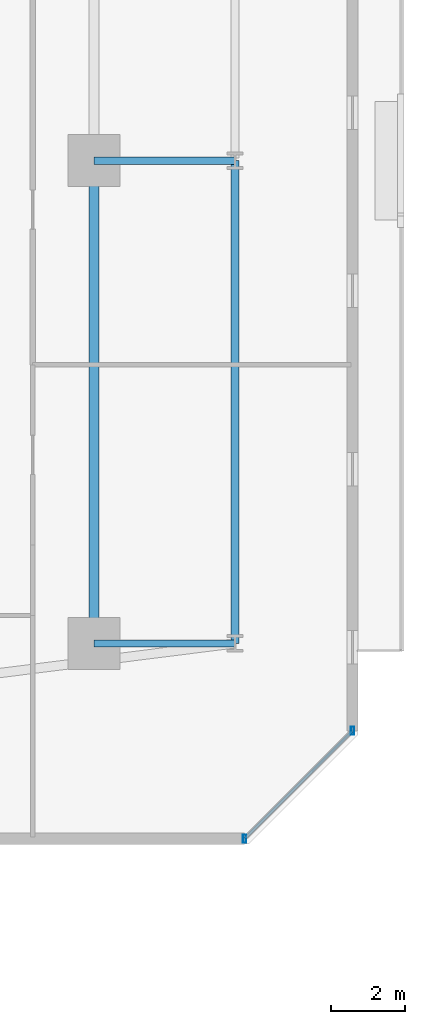
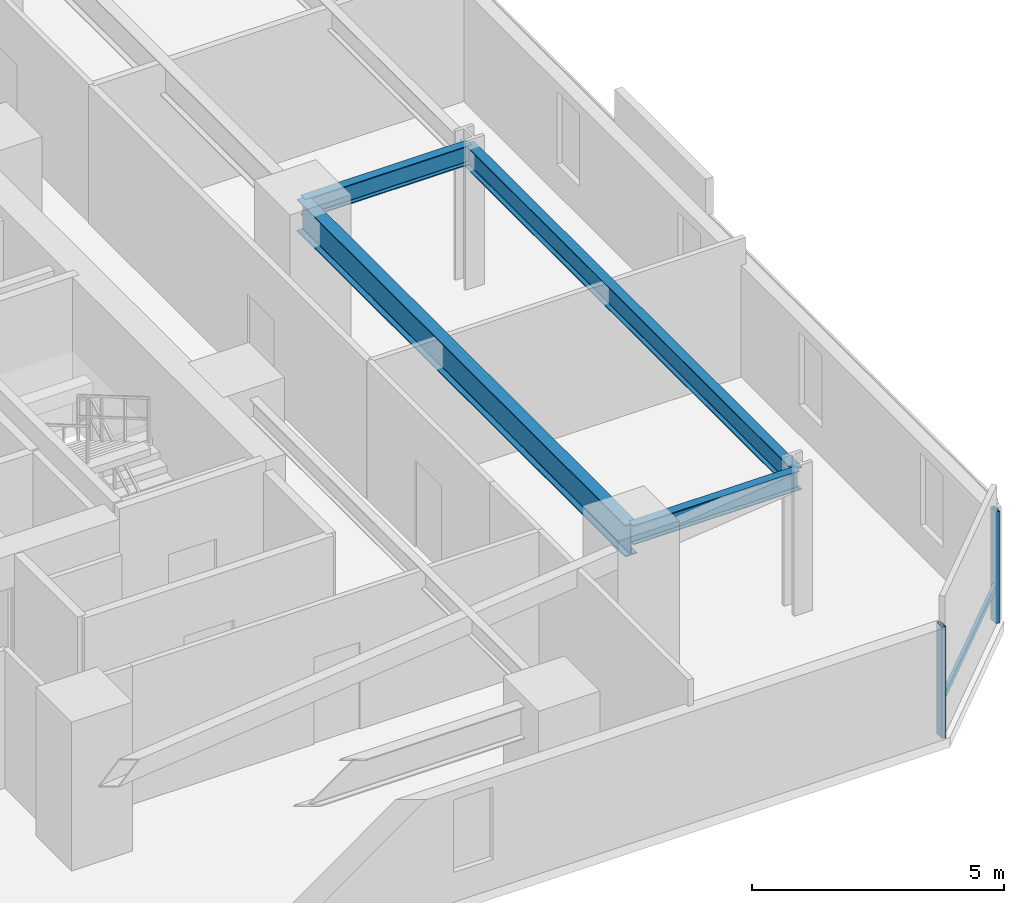
# One storey, part 15 of 35: 4 beams, 3 members, 1 element without a shape of its own.
"""IFC4 building model written with IfcOpenShell, lengths in metres."""

from ifc_helpers import new_model, si_unit, direction, frame, origin, origin_2d, place, context, subcontext, project, spatial, hollow_rectangle, i_section, extrude, material, material_profile, profile_set, type_object, element, aggregate, save


model = new_model("IFC4")

# Units and contexts
model_context = context("Model", 3, precision=1e-05, world=origin(), true_north=direction((0.0, 1.0)))
body_context = subcontext(model_context, "Body", "Model", "MODEL_VIEW")
ifc_project = project(units=[si_unit("LENGTHUNIT", "METRE"), si_unit("AREAUNIT", "SQUARE_METRE"), si_unit("VOLUMEUNIT", "CUBIC_METRE"), si_unit("PLANEANGLEUNIT", "RADIAN"), si_unit("MASSUNIT", "GRAM", prefix="KILO")], contexts=[model_context])

# Site, building, storey
site_placement = place(None, origin())
site = spatial("IfcSite", under=ifc_project, at=site_placement, CompositionType="ELEMENT")
building_placement = place(site_placement, origin())
building = spatial("IfcBuilding", under=site, at=building_placement, Name="Thornwick Lancets Civic Towers", CompositionType="ELEMENT")
storey_placement = place(building_placement, frame((0.0, 0.0, 64.5)))
storey = spatial("IfcBuildingStorey", under=building, at=storey_placement, Name="L16", CompositionType="ELEMENT", Elevation=64.5)

# Beams
ifc_material_1 = material(Name="Steel S355JR", Category="steel")
ifc_material_profile_1 = material_profile(ifc_material_1, i_section(OverallWidth=0.2119140625, OverallDepth=0.54443359375, WebThickness=0.0126953125, FlangeThickness=0.021240234375, FilletRadius=0.0126953125, at=origin_2d()), Name="UKB 533x210x122")
ifc_profile_set_1 = profile_set([ifc_material_profile_1], Name="Steel S355JR")
beam_type_1 = type_object("IfcBeamType", Name="BM_EDGE_533_122", PredefinedType="SPANDREL", material=ifc_profile_set_1)
beam_1_placement = place(storey_placement, frame((109.60009765625, 14.0, 3.087646484375), z_axis=(0.0, 1.0, 0.0), x_axis=(-1.0, 0.0, 0.0)))
element("IfcBeam", 1, at=beam_1_placement, inside=storey, type_object=beam_type_1, Name="BM-EDGE-L16-B-S0-1", PredefinedType="SPANDREL", context=body_context, shape_type="SweptSolid", body=[
    extrude(i_section(OverallWidth=0.2119140625, OverallDepth=0.54443359375, WebThickness=0.0126953125, FlangeThickness=0.021240234375, FilletRadius=0.0126953125, at=origin_2d()), origin(), (0.0, 0.0, 1.0), 13.0),
])
ifc_material_profile_2 = material_profile(ifc_material_1, i_section(OverallWidth=0.26806640625, OverallDepth=0.769775390625, WebThickness=0.015625, FlangeThickness=0.025390625, FilletRadius=0.0166015625, at=origin_2d()), Name="UKB 762x267x197")
ifc_profile_set_2 = profile_set([ifc_material_profile_2], Name="Steel S355JR")
beam_type_2 = type_object("IfcBeamType", Name="BM_GIRD_762_197", PredefinedType="BEAM", material=ifc_profile_set_2)
beam_2_placement = place(storey_placement, frame((105.800048828125, 14.0, 2.97509765625), z_axis=(0.0, 1.0, 0.0), x_axis=(-1.0, 0.0, 0.0)))
element("IfcBeam", 2, at=beam_2_placement, inside=storey, type_object=beam_type_2, Name="BM-SPINE-L16-B-0-1", PredefinedType="BEAM", context=body_context, shape_type="SweptSolid", body=[
    extrude(i_section(OverallWidth=0.26806640625, OverallDepth=0.769775390625, WebThickness=0.015625, FlangeThickness=0.025390625, FilletRadius=0.0166015625, at=origin_2d()), origin(), (0.0, 0.0, 1.0), 13.0),
])
ifc_material_profile_3 = material_profile(ifc_material_1, i_section(OverallWidth=0.19287109375, OverallDepth=0.46728515625, WebThickness=0.011474609375, FlangeThickness=0.01953125, FilletRadius=0.01025390625, at=origin_2d()), Name="UKB 457x191x98")
ifc_profile_set_3 = profile_set([ifc_material_profile_3], Name="Steel S355JR")
beam_type_3 = type_object("IfcBeamType", Name="BM_JOIST_457_98", PredefinedType="JOIST", material=ifc_profile_set_3)
for number, where, z_axis, x_axis, name in (
    (3, (105.800048828125, 14.0, 3.12646484375), (1.0, 0.0, 0.0), (0.0, 1.0, 0.0), "BM-RAD-L16-B01"),
    (4, (105.800048828125, 27.0, 3.12646484375), (1.0, 0.0, 0.0), (0.0, 1.0, 0.0), "BM-RAD-L16-B02"),
):
    element("IfcBeam", number, at=place(storey_placement, frame(where, z_axis=z_axis, x_axis=x_axis)), inside=storey, type_object=beam_type_3, Name=name, PredefinedType="JOIST", context=body_context, shape_type="SweptSolid", body=[
        extrude(i_section(OverallWidth=0.19287109375, OverallDepth=0.46728515625, WebThickness=0.011474609375, FlangeThickness=0.01953125, FilletRadius=0.01025390625, at=origin_2d()), origin(), (0.0, 0.0, 1.0), 3.800048828125),
    ])

# Curtain wall, members
ifc_material_2 = material(Name="Low-zone chamfered-corner unitised glass curtain wall", Category="glass")
curtain_wall_type = type_object("IfcCurtainWallType", Name="CW_SYS_03", PredefinedType="NOTDEFINED", material=ifc_material_2)
curtain_wall_placement = place(storey_placement, origin())
curtain_wall = element("IfcCurtainWall", 5, at=curtain_wall_placement, inside=storey, type_object=curtain_wall_type, Name="L16 Curtain Wall CW-L16-B-E1", PredefinedType="NOTDEFINED")
ifc_material_3 = material(Name="Thermally broken bronze aluminium S355", Category="steel")
ifc_material_profile_4 = material_profile(ifc_material_3, hollow_rectangle(XDim=0.090087890625, YDim=0.219970703125, WallThickness=0.00634765625, at=origin_2d()), Name="RHS 220x90x6.3")
ifc_profile_set_4 = profile_set([ifc_material_profile_4], Name="Thermally broken bronze aluminium S355")
member_type_1 = type_object("IfcMemberType", Name="CW_MUL_220", PredefinedType="MULLION", material=ifc_profile_set_4)
member_1_placement = place(storey_placement, frame((109.85546875, 8.736328125, 0.0), z_axis=(0.0, 0.0, 1.0), x_axis=(1.0, 0.0, 0.0)))
member_1 = element("IfcMember", 6, at=member_1_placement, type_object=member_type_1, Name="CW-L16-B-E1 Mullion 0", PredefinedType="MULLION", context=body_context, shape_type="SweptSolid", body=[
    extrude(hollow_rectangle(XDim=0.090087890625, YDim=0.219970703125, WallThickness=0.00634765625, at=origin_2d()), origin(), (0.0, 0.0, 1.0), 2.699951171875),
])
member_2_placement = place(storey_placement, frame((112.763671875, 11.64453125, 0.0), z_axis=(0.0, 0.0, 1.0), x_axis=(1.0, 0.0, 0.0)))
member_2 = element("IfcMember", 7, at=member_2_placement, type_object=member_type_1, Name="CW-L16-B-E1 Mullion 1", PredefinedType="MULLION", context=body_context, shape_type="SweptSolid", body=[
    extrude(hollow_rectangle(XDim=0.090087890625, YDim=0.219970703125, WallThickness=0.00634765625, at=origin_2d()), origin(), (0.0, 0.0, 1.0), 2.699951171875),
])
ifc_material_profile_5 = material_profile(ifc_material_3, hollow_rectangle(XDim=0.074951171875, YDim=0.14990234375, WallThickness=0.0048828125, at=origin_2d()), Name="RHS 150x75x5")
ifc_profile_set_5 = profile_set([ifc_material_profile_5], Name="Thermally broken bronze aluminium S355")
member_type_2 = type_object("IfcMemberType", Name="CW_TRN_150", PredefinedType="USERDEFINED", material=ifc_profile_set_5)
member_3_placement = place(storey_placement, frame((109.869384765625, 8.75048828125, 0.85009765625), z_axis=(0.707106781187, 0.707106781187, 0.0), x_axis=(-0.707106781187, 0.707106781187, 0.0)))
member_3 = element("IfcMember", 8, at=member_3_placement, type_object=member_type_2, Name="CW-L16-B-E1 Transom 0", ObjectType="TRANSOM", PredefinedType="USERDEFINED", context=body_context, shape_type="SweptSolid", body=[
    extrude(hollow_rectangle(XDim=0.074951171875, YDim=0.14990234375, WallThickness=0.0048828125, at=origin_2d()), origin(), (0.0, 0.0, 1.0), 4.072998046875),
])
aggregate(curtain_wall, [member_1, member_2, member_3])

save(model, "model.ifc")
